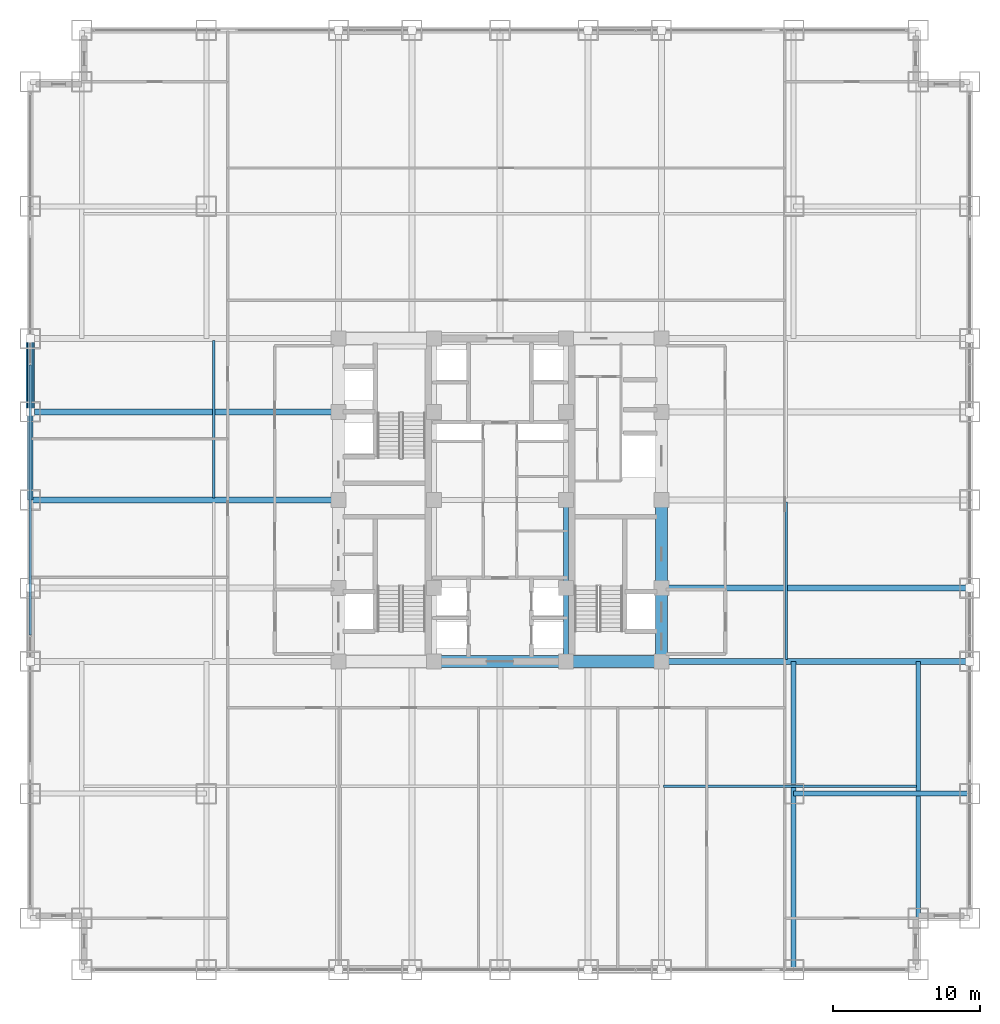
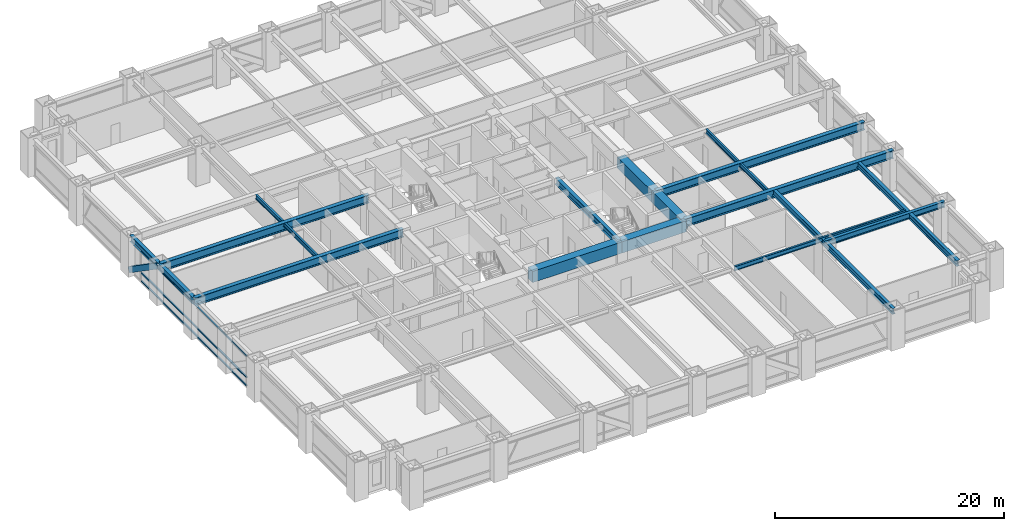
# One storey, part 11 of 27: 18 beams, 4 members, 1 element without a shape of its own.
"""IFC4 building model written with IfcOpenShell, lengths in metres."""

from ifc_helpers import new_model, si_unit, direction, frame, origin, origin_2d, place, context, subcontext, project, spatial, rectangle, hollow_rectangle, i_section, extrude, source, transform, mapped, material, material_profile, profile_set, type_object, element, aggregate, save


model = new_model("IFC4")

# Units and contexts
model_context = context("Model", 3, precision=1e-05, world=origin(), true_north=direction((0.0, 1.0)))
body_context = subcontext(model_context, "Body", "Model", "MODEL_VIEW")
ifc_project = project(units=[si_unit("LENGTHUNIT", "METRE"), si_unit("AREAUNIT", "SQUARE_METRE"), si_unit("VOLUMEUNIT", "CUBIC_METRE"), si_unit("PLANEANGLEUNIT", "RADIAN"), si_unit("MASSUNIT", "GRAM", prefix="KILO")], contexts=[model_context])

# Site, building, storey
site_placement = place(None, origin())
site = spatial("IfcSite", under=ifc_project, at=site_placement, CompositionType="ELEMENT")
building_placement = place(site_placement, origin())
building = spatial("IfcBuilding", under=site, at=building_placement, Name="Khorayat Bourse Tower", CompositionType="ELEMENT")
storey_placement = place(building_placement, frame((0.0, 0.0, 53.60009765625)))
storey = spatial("IfcBuildingStorey", under=building, at=storey_placement, Name="L11", CompositionType="ELEMENT", Elevation=53.60009765625)

# Beams
ifc_material_1 = material(Name="Concrete C72/90", Category="concrete")
ifc_material_profile_1 = material_profile(ifc_material_1, rectangle(XDim=0.800048828125, YDim=1.199951171875, at=origin_2d()), Name="RC 800x1200")
ifc_profile_set_1 = profile_set([ifc_material_profile_1], Name="Concrete C72/90")
beam_type_1 = type_object("IfcBeamType", Name="BM-COUP-1200", PredefinedType="BEAM", material=ifc_profile_set_1)
shared_shape_1 = source(origin(), body_context, "Body", "SweptSolid", [
    extrude(rectangle(XDim=0.800048828125, YDim=1.199951171875, at=origin_2d()), origin(), (0.0, 0.0, 1.0), 5.0),
])
beam_1_placement = place(storey_placement, frame((11.0, -11.0, 3.33984375), z_axis=(0.0, 1.0, 0.0), x_axis=(-1.0, 0.0, 0.0)))
element("IfcBeam", 1, at=beam_1_placement, inside=storey, type_object=beam_type_1, Name="L11 BM-COUP-1200 BM-L11-CRX-13", PredefinedType="BEAM", context=body_context, shape_type="MappedRepresentation", body=[
    mapped(shared_shape_1, transform((0.0, 0.0, 0.0), scale=1.0)),
])
shared_shape_2 = source(origin(), body_context, "Body", "SweptSolid", [
    extrude(rectangle(XDim=0.800048828125, YDim=1.199951171875, at=origin_2d()), origin(), (0.0, 0.0, 1.0), 6.0),
])
beam_2_placement = place(storey_placement, frame((11.0, -6.0, 3.33984375), z_axis=(0.0, 1.0, 0.0), x_axis=(-1.0, 0.0, 0.0)))
element("IfcBeam", 2, at=beam_2_placement, inside=storey, type_object=beam_type_1, Name="L11 BM-COUP-1200 BM-L11-CRX-14", PredefinedType="BEAM", context=body_context, shape_type="MappedRepresentation", body=[
    mapped(shared_shape_2, transform((0.0, 0.0, 0.0), scale=1.0)),
])
ifc_material_2 = material(Name="Steel ASTM A992 Grade 50", Category="steel")
ifc_material_profile_2 = material_profile(ifc_material_2, i_section(OverallWidth=0.35498046875, OverallDepth=0.695068359375, WebThickness=0.015380859375, FlangeThickness=0.02490234375, FilletRadius=0.01806640625, at=origin_2d()), Name="W690X217")
ifc_profile_set_2 = profile_set([ifc_material_profile_2], Name="Steel ASTM A992 Grade 50")
beam_type_2 = type_object("IfcBeamType", Name="BM-GIRD-690", PredefinedType="BEAM", material=ifc_profile_set_2)
shared_shape_3 = source(origin(), body_context, "Body", "SweptSolid", [
    extrude(i_section(OverallWidth=0.35498046875, OverallDepth=0.695068359375, WebThickness=0.015380859375, FlangeThickness=0.02490234375, FilletRadius=0.01806640625, at=origin_2d()), origin(), (0.0, 0.0, 1.0), 5.0),
])
beam_3_placement = place(storey_placement, frame((4.5, -11.0, 3.59228515625), z_axis=(0.0, 1.0, 0.0), x_axis=(-1.0, 0.0, 0.0)))
element("IfcBeam", 3, at=beam_3_placement, inside=storey, type_object=beam_type_2, Name="L11 BM-GIRD-690 BM-L11-CRX-09", PredefinedType="BEAM", context=body_context, shape_type="MappedRepresentation", body=[
    mapped(shared_shape_3, transform((0.0, 0.0, 0.0), scale=1.0)),
])
shared_shape_4 = source(origin(), body_context, "Body", "SweptSolid", [
    extrude(i_section(OverallWidth=0.35498046875, OverallDepth=0.695068359375, WebThickness=0.015380859375, FlangeThickness=0.02490234375, FilletRadius=0.01806640625, at=origin_2d()), origin(), (0.0, 0.0, 1.0), 6.0),
])
beam_4_placement = place(storey_placement, frame((4.5, -6.0, 3.59228515625), z_axis=(0.0, 1.0, 0.0), x_axis=(-1.0, 0.0, 0.0)))
element("IfcBeam", 4, at=beam_4_placement, inside=storey, type_object=beam_type_2, Name="L11 BM-GIRD-690 BM-L11-CRX-10", PredefinedType="BEAM", context=body_context, shape_type="MappedRepresentation", body=[
    mapped(shared_shape_4, transform((0.0, 0.0, 0.0), scale=1.0)),
])
shared_shape_5 = source(origin(), body_context, "Body", "SweptSolid", [
    extrude(rectangle(XDim=0.800048828125, YDim=1.199951171875, at=origin_2d()), origin(), (0.0, 0.0, 1.0), 6.5),
])
beam_5_placement = place(storey_placement, frame((4.5, -11.0, 3.33984375), z_axis=(1.0, 0.0, 0.0), x_axis=(0.0, 1.0, 0.0)))
element("IfcBeam", 5, at=beam_5_placement, inside=storey, type_object=beam_type_1, Name="L11 BM-COUP-1200 BM-L11-CRY-19", PredefinedType="BEAM", context=body_context, shape_type="MappedRepresentation", body=[
    mapped(shared_shape_5, transform((0.0, 0.0, 0.0), scale=1.0)),
])
shared_shape_6 = source(origin(), body_context, "Body", "SweptSolid", [
    extrude(rectangle(XDim=0.800048828125, YDim=1.199951171875, at=origin_2d()), origin(), (0.0, 0.0, 1.0), 9.0),
])
beam_6_placement = place(storey_placement, frame((-4.5, -11.0, 3.33984375), z_axis=(1.0, 0.0, 0.0), x_axis=(0.0, 1.0, 0.0)))
element("IfcBeam", 6, at=beam_6_placement, inside=storey, type_object=beam_type_1, Name="L11 BM-COUP-1200 BM-L11-CRY-18", PredefinedType="BEAM", context=body_context, shape_type="MappedRepresentation", body=[
    mapped(shared_shape_6, transform((0.0, 0.0, 0.0), scale=1.0)),
])
ifc_material_profile_3 = material_profile(ifc_material_2, i_section(OverallWidth=0.35498046875, OverallDepth=0.695068359375, WebThickness=0.015380859375, FlangeThickness=0.02490234375, FilletRadius=0.01806640625, at=origin_2d()), Name="W690X217")
ifc_profile_set_3 = profile_set([ifc_material_profile_3], Name="Steel ASTM A992 Grade 50")
beam_type_3 = type_object("IfcBeamType", Name="BM-SPAN-690", PredefinedType="SPANDREL", material=ifc_profile_set_3)
shared_shape_7 = source(origin(), body_context, "Body", "SweptSolid", [
    extrude(i_section(OverallWidth=0.35498046875, OverallDepth=0.695068359375, WebThickness=0.015380859375, FlangeThickness=0.02490234375, FilletRadius=0.01806640625, at=origin_2d()), origin(), (0.0, 0.0, 1.0), 5.0),
])
beam_7_placement = place(storey_placement, frame((-32.0, 6.0, 3.59228515625), z_axis=(0.0, 1.0, 0.0), x_axis=(-1.0, 0.0, 0.0)))
element("IfcBeam", 7, at=beam_7_placement, inside=storey, type_object=beam_type_3, Name="L11 BM-SPAN-690 BM-L11-SPN-056", PredefinedType="SPANDREL", context=body_context, shape_type="MappedRepresentation", body=[
    mapped(shared_shape_7, transform((0.0, 0.0, 0.0), scale=1.0)),
])
shared_shape_8 = source(origin(), body_context, "Body", "SweptSolid", [
    extrude(i_section(OverallWidth=0.35498046875, OverallDepth=0.695068359375, WebThickness=0.015380859375, FlangeThickness=0.02490234375, FilletRadius=0.01806640625, at=origin_2d()), origin(), (0.0, 0.0, 1.0), 6.0),
])
beam_8_placement = place(storey_placement, frame((-32.0, 0.0, 3.59228515625), z_axis=(0.0, 1.0, 0.0), x_axis=(-1.0, 0.0, 0.0)))
element("IfcBeam", 8, at=beam_8_placement, inside=storey, type_object=beam_type_3, Name="L11 BM-SPAN-690 BM-L11-SPN-057", PredefinedType="SPANDREL", context=body_context, shape_type="MappedRepresentation", body=[
    mapped(shared_shape_8, transform((0.0, 0.0, 0.0), scale=1.0)),
])
ifc_material_profile_4 = material_profile(ifc_material_2, i_section(OverallWidth=0.39990234375, OverallDepth=0.85498046875, WebThickness=0.018310546875, FlangeThickness=0.029296875, FilletRadius=0.02001953125, at=origin_2d()), Name="W840X299")
ifc_profile_set_4 = profile_set([ifc_material_profile_4], Name="Steel ASTM A992 Grade 50")
beam_type_4 = type_object("IfcBeamType", Name="BM-GIRD-840", PredefinedType="BEAM", material=ifc_profile_set_4)
shared_shape_9 = source(origin(), body_context, "Body", "SweptSolid", [
    extrude(i_section(OverallWidth=0.39990234375, OverallDepth=0.85498046875, WebThickness=0.018310546875, FlangeThickness=0.029296875, FilletRadius=0.02001953125, at=origin_2d()), origin(), (0.0, 0.0, 1.0), 21.0),
])
for number, where, z_axis, x_axis, name in (
    (9, (11.0, -11.0, 3.512451171875), (1.0, 0.0, 0.0), (0.0, 1.0, 0.0), "L11 BM-GIRD-840 BM-L11-RADX-074"),
    (10, (11.0, -6.0, 3.512451171875), (1.0, 0.0, 0.0), (0.0, 1.0, 0.0), "L11 BM-GIRD-840 BM-L11-RADX-076"),
    (11, (-32.0, 0.0, 3.512451171875), (1.0, 0.0, 0.0), (0.0, 1.0, 0.0), "L11 BM-GIRD-840 BM-L11-RADX-079"),
    (12, (-32.0, 6.0, 3.512451171875), (1.0, 0.0, 0.0), (0.0, 1.0, 0.0), "L11 BM-GIRD-840 BM-L11-RADX-081"),
):
    element("IfcBeam", number, at=place(storey_placement, frame(where, z_axis=z_axis, x_axis=x_axis)), inside=storey, type_object=beam_type_4, Name=name, PredefinedType="BEAM", context=body_context, shape_type="MappedRepresentation", body=[
        mapped(shared_shape_9, transform((0.0, 0.0, 0.0), scale=1.0)),
    ])
ifc_material_profile_5 = material_profile(ifc_material_2, i_section(OverallWidth=0.324951171875, OverallDepth=0.615966796875, WebThickness=0.013916015625, FlangeThickness=0.021484375, FilletRadius=0.01611328125, at=origin_2d()), Name="W610X174")
ifc_profile_set_5 = profile_set([ifc_material_profile_5], Name="Steel ASTM A992 Grade 50")
beam_type_5 = type_object("IfcBeamType", Name="BM-GIRD-610", PredefinedType="BEAM", material=ifc_profile_set_5)
shared_shape_10 = source(origin(), body_context, "Body", "SweptSolid", [
    extrude(i_section(OverallWidth=0.324951171875, OverallDepth=0.615966796875, WebThickness=0.013916015625, FlangeThickness=0.021484375, FilletRadius=0.01611328125, at=origin_2d()), origin(), (0.0, 0.0, 1.0), 21.0),
])
beam_9_placement = place(storey_placement, frame((20.0, -32.0, 3.6318359375), z_axis=(0.0, 1.0, 0.0), x_axis=(-1.0, 0.0, 0.0)))
element("IfcBeam", 13, at=beam_9_placement, inside=storey, type_object=beam_type_5, Name="L11 BM-GIRD-610 BM-L11-CNRY-086", PredefinedType="BEAM", context=body_context, shape_type="MappedRepresentation", body=[
    mapped(shared_shape_10, transform((0.0, 0.0, 0.0), scale=1.0)),
])
shared_shape_11 = source(origin(), body_context, "Body", "SweptSolid", [
    extrude(i_section(OverallWidth=0.324951171875, OverallDepth=0.615966796875, WebThickness=0.013916015625, FlangeThickness=0.021484375, FilletRadius=0.01611328125, at=origin_2d()), origin(), (0.0, 0.0, 1.0), 17.5),
])
beam_10_placement = place(storey_placement, frame((28.5, -28.5, 3.6318359375), z_axis=(0.0, 1.0, 0.0), x_axis=(-1.0, 0.0, 0.0)))
element("IfcBeam", 14, at=beam_10_placement, inside=storey, type_object=beam_type_5, Name="L11 BM-GIRD-610 BM-L11-CNRY-090", PredefinedType="BEAM", context=body_context, shape_type="MappedRepresentation", body=[
    mapped(shared_shape_11, transform((0.0, 0.0, 0.0), scale=1.0)),
])
shared_shape_12 = source(origin(), body_context, "Body", "SweptSolid", [
    extrude(i_section(OverallWidth=0.324951171875, OverallDepth=0.615966796875, WebThickness=0.013916015625, FlangeThickness=0.021484375, FilletRadius=0.01611328125, at=origin_2d()), origin(), (0.0, 0.0, 1.0), 12.0),
])
beam_11_placement = place(storey_placement, frame((20.0, -20.0, 3.6318359375), z_axis=(1.0, 0.0, 0.0), x_axis=(0.0, 1.0, 0.0)))
element("IfcBeam", 15, at=beam_11_placement, inside=storey, type_object=beam_type_5, Name="L11 BM-GIRD-610 BM-L11-CNRX-092", PredefinedType="BEAM", context=body_context, shape_type="MappedRepresentation", body=[
    mapped(shared_shape_12, transform((0.0, 0.0, 0.0), scale=1.0)),
])
ifc_material_profile_6 = material_profile(ifc_material_2, i_section(OverallWidth=0.194091796875, OverallDepth=0.468994140625, WebThickness=0.0126953125, FlangeThickness=0.0205078125, FilletRadius=0.012939453125, at=origin_2d()), Name="W460X106")
ifc_profile_set_6 = profile_set([ifc_material_profile_6], Name="Steel ASTM A992 Grade 50")
beam_type_6 = type_object("IfcBeamType", Name="BM-JOIST-460", PredefinedType="JOIST", material=ifc_profile_set_6)
shared_shape_13 = source(origin(), body_context, "Body", "SweptSolid", [
    extrude(i_section(OverallWidth=0.194091796875, OverallDepth=0.468994140625, WebThickness=0.0126953125, FlangeThickness=0.0205078125, FilletRadius=0.012939453125, at=origin_2d()), origin(), (0.0, 0.0, 1.0), 17.240234375),
])
beam_12_placement = place(storey_placement, frame((11.1298828125, -19.5, 3.705322265625), z_axis=(1.0, 0.0, 0.0), x_axis=(0.0, 1.0, 0.0)))
element("IfcBeam", 16, at=beam_12_placement, inside=storey, type_object=beam_type_6, Name="L11 BM-JOIST-460 BM-L11-JSTX-098", PredefinedType="JOIST", context=body_context, shape_type="MappedRepresentation", body=[
    mapped(shared_shape_13, transform((0.0, 0.0, 0.0), scale=1.0)),
])
shared_shape_14 = source(origin(), body_context, "Body", "SweptSolid", [
    extrude(i_section(OverallWidth=0.194091796875, OverallDepth=0.468994140625, WebThickness=0.0126953125, FlangeThickness=0.0205078125, FilletRadius=0.012939453125, at=origin_2d()), origin(), (0.0, 0.0, 1.0), 10.740234375),
])
for number, where, z_axis, x_axis, name in (
    (17, (-19.5, 0.1298828125, 3.705322265625), (0.0, 1.0, 0.0), (-1.0, 0.0, 0.0), "L11 BM-JOIST-460 BM-L11-JSTY-103"),
    (18, (19.5, -10.8701171875, 3.705322265625), (0.0, 1.0, 0.0), (-1.0, 0.0, 0.0), "L11 BM-JOIST-460 BM-L11-JSTY-104"),
):
    element("IfcBeam", number, at=place(storey_placement, frame(where, z_axis=z_axis, x_axis=x_axis)), inside=storey, type_object=beam_type_6, Name=name, PredefinedType="JOIST", context=body_context, shape_type="MappedRepresentation", body=[
        mapped(shared_shape_14, transform((0.0, 0.0, 0.0), scale=1.0)),
    ])

# Member
ifc_material_3 = material(Name="Steel EN 10025-4 S460M", Category="steel")
ifc_material_profile_7 = material_profile(ifc_material_3, hollow_rectangle(XDim=0.550048828125, YDim=0.550048828125, WallThickness=0.031982421875, at=origin_2d()), Name="HSS 550x550x32")
ifc_profile_set_7 = profile_set([ifc_material_profile_7], Name="Steel EN 10025-4 S460M")
member_type_1 = type_object("IfcMemberType", Name="MBR-TUBE-550", PredefinedType="BRACE", material=ifc_profile_set_7)
shared_shape_15 = source(origin(), body_context, "Body", "SweptSolid", [
    extrude(hollow_rectangle(XDim=0.550048828125, YDim=0.550048828125, WallThickness=0.031982421875, at=origin_2d()), origin(), (0.0, 0.0, 1.0), 6.069091796875),
])
member_1_placement = place(storey_placement, frame((-32.0, 6.0, 3.68994140625), z_axis=(0.0, 0.823854080622, -0.566801952928), x_axis=(-1.0, 0.0, 0.0)))
element("IfcMember", 19, at=member_1_placement, inside=storey, type_object=member_type_1, Name="L11 Perimeter Tube Brace 06", PredefinedType="BRACE", context=body_context, shape_type="MappedRepresentation", body=[
    mapped(shared_shape_15, transform((0.0, 0.0, 0.0), scale=1.0)),
])

# Curtain wall, members
ifc_material_4 = material(Name="Aluminium EN AW-6063 T6", Category="aluminium")
curtain_wall_type = type_object("IfcCurtainWallType", Name="CW-SYS-02", PredefinedType="NOTDEFINED", material=ifc_material_4)
curtain_wall_placement = place(storey_placement, origin())
curtain_wall = element("IfcCurtainWall", 20, at=curtain_wall_placement, inside=storey, type_object=curtain_wall_type, Name="L11 Curtain Wall CW-L11-W1", PredefinedType="NOTDEFINED")
ifc_material_profile_8 = material_profile(ifc_material_4, hollow_rectangle(XDim=0.139892578125, YDim=0.139892578125, WallThickness=0.006103515625, at=origin_2d()), Name="ALU 140x140x6")
ifc_profile_set_8 = profile_set([ifc_material_profile_8], Name="Aluminium EN AW-6063 T6")
member_type_2 = type_object("IfcMemberType", Name="CWT-HORZ-140", PredefinedType="USERDEFINED", material=ifc_profile_set_8)
shared_shape_16 = source(origin(), body_context, "Body", "SweptSolid", [
    extrude(hollow_rectangle(XDim=0.139892578125, YDim=0.139892578125, WallThickness=0.006103515625, at=origin_2d()), origin(), (0.0, 0.0, 1.0), 18.35986328125),
])
member_2_placement = place(storey_placement, frame((-32.0, -9.179931640625, 0.06982421875), z_axis=(0.0, 1.0, 0.0), x_axis=(-1.0, 0.0, 0.0)))
member_2 = element("IfcMember", 21, at=member_2_placement, type_object=member_type_2, Name="CW-L11-W1 Horizontal Transom 2-1", ObjectType="TRANSOM", PredefinedType="USERDEFINED", context=body_context, shape_type="MappedRepresentation", body=[
    mapped(shared_shape_16, transform((0.0, 0.0, 0.0), scale=1.0)),
])
member_3_placement = place(storey_placement, frame((-32.0, -9.179931640625, 0.949951171875), z_axis=(0.0, 1.0, 0.0), x_axis=(-1.0, 0.0, 0.0)))
member_3 = element("IfcMember", 22, at=member_3_placement, type_object=member_type_2, Name="CW-L11-W1 Horizontal Transom 2-2", ObjectType="TRANSOM", PredefinedType="USERDEFINED", context=body_context, shape_type="MappedRepresentation", body=[
    mapped(shared_shape_16, transform((0.0, 0.0, 0.0), scale=1.0)),
])
member_4_placement = place(storey_placement, frame((-32.0, -9.179931640625, 3.219970703125), z_axis=(0.0, 1.0, 0.0), x_axis=(-1.0, 0.0, 0.0)))
member_4 = element("IfcMember", 23, at=member_4_placement, type_object=member_type_2, Name="CW-L11-W1 Horizontal Transom 2-3", ObjectType="TRANSOM", PredefinedType="USERDEFINED", context=body_context, shape_type="MappedRepresentation", body=[
    mapped(shared_shape_16, transform((0.0, 0.0, 0.0), scale=1.0)),
])
aggregate(curtain_wall, [member_2, member_3, member_4])

save(model, "model.ifc")
